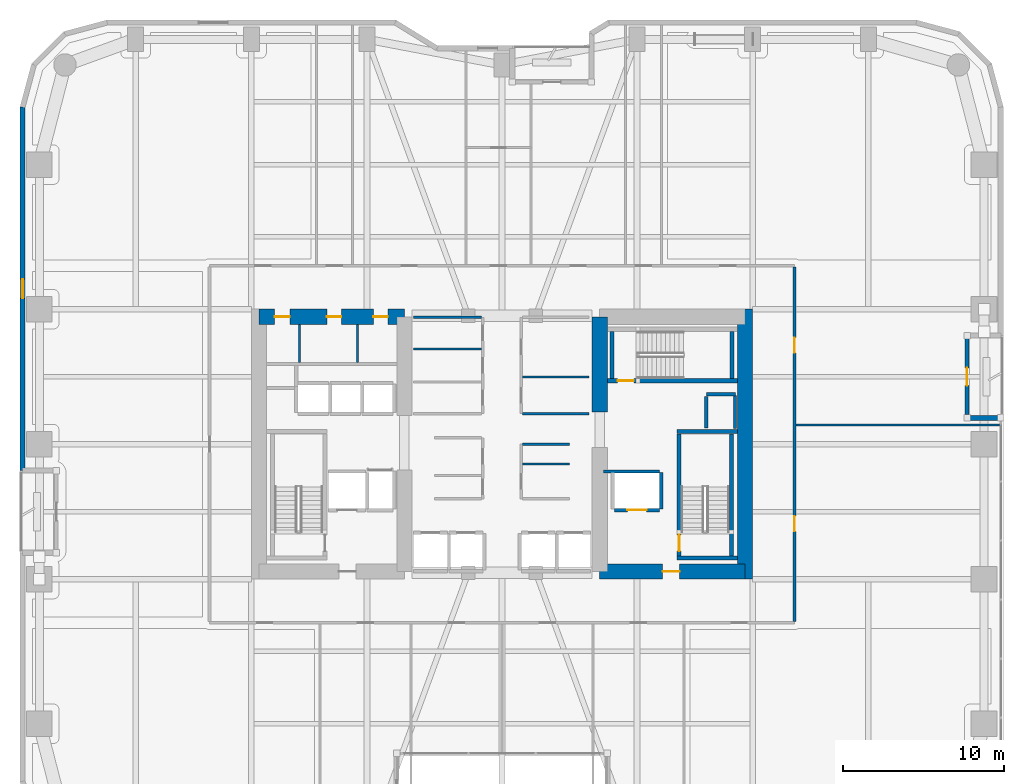
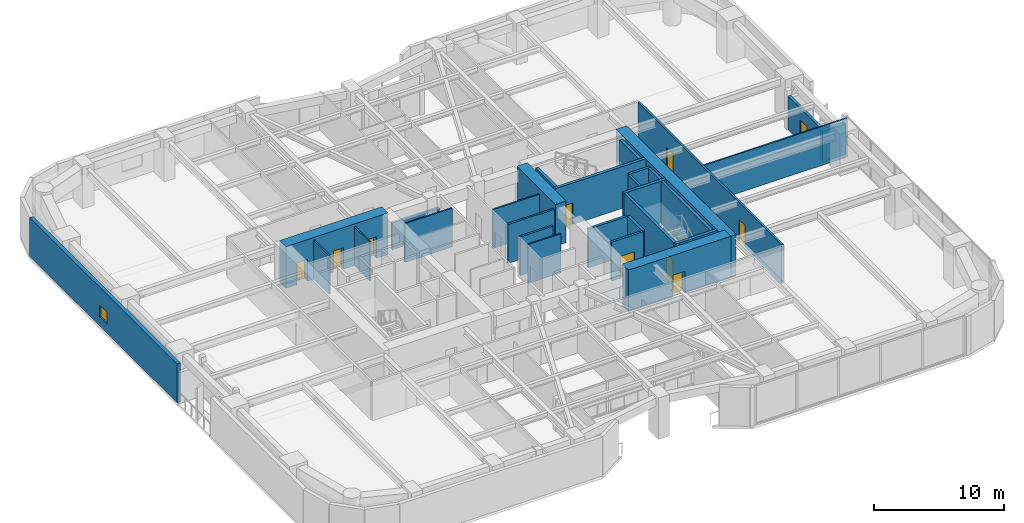
# One storey, part 20 of 26: 30 walls, 10 doors, 1 window, 11 openings.
"""IFC4 building model written with IfcOpenShell, lengths in metres."""

from ifc_helpers import new_model, si_unit, direction, frame, frame_2d, origin, place, context, subcontext, project, spatial, rectangle, extrude, material, layer, layer_set, type_object, element, fill, save


model = new_model("IFC4")

# Units and contexts
model_context = context("Model", 3, precision=1e-05, world=origin(), true_north=direction((0.0, 1.0)))
body_context = subcontext(model_context, "Body", "Model", "MODEL_VIEW")
ifc_project = project(units=[si_unit("LENGTHUNIT", "METRE"), si_unit("AREAUNIT", "SQUARE_METRE"), si_unit("VOLUMEUNIT", "CUBIC_METRE"), si_unit("PLANEANGLEUNIT", "RADIAN"), si_unit("MASSUNIT", "GRAM", prefix="KILO")], contexts=[model_context])

# Site, building, storey
site_placement = place(None, origin())
site = spatial("IfcSite", under=ifc_project, at=site_placement, CompositionType="ELEMENT")
building_placement = place(site_placement, origin())
building = spatial("IfcBuilding", under=site, at=building_placement, Name="Kiyonajd Concourse Tower", CompositionType="ELEMENT")
storey_placement = place(building_placement, frame((0.0, 0.0, 72.89990234375)))
storey = spatial("IfcBuildingStorey", under=building, at=storey_placement, Name="L19", CompositionType="ELEMENT", Elevation=72.89990234375)

# Wall, openings, doors
ifc_material_1 = material(Name="Concrete C80/95", Category="concrete")
ifc_layer_1 = layer(ifc_material_1, 0.949951171875)
ifc_layer_set_1 = layer_set([ifc_layer_1], Name="Concrete C80/95")
wall_type_1 = type_object("IfcWallType", Name="WL-CORE-950", PredefinedType="SHEAR", material=ifc_layer_set_1)
wall_1_placement = place(storey_placement, frame((32.875, 43.925048828125, 0.0), z_axis=(0.0, 0.0, 1.0), x_axis=(1.0, 0.0, 0.0)))
wall_1 = element("IfcWall", 1, at=wall_1_placement, inside=storey, type_object=wall_type_1, Name="L19 West Core North Shear Wall", PredefinedType="SHEAR", context=body_context, shape_type="SweptSolid", body=[
    extrude(rectangle(XDim=9.050048828125, YDim=0.949951171875, at=frame_2d((4.52490234375, 0.0))), origin(), (0.0, 0.0, 1.0), 3.900146484375),
])
opening_1_placement = place(wall_1_placement, frame((0.97509765625, 0.0, 0.0)))
opening_1 = element("IfcOpeningElement", 2, at=opening_1_placement, cuts=wall_1, Name="Opening DI1", PredefinedType="OPENING", context=body_context, shape_type="SweptSolid", body=[
    extrude(rectangle(XDim=0.949951171875, YDim=2.0400390625, at=frame_2d((0.47509765625, 1.02001953125))), frame((0.0, 0.48486328125, 0.0), z_axis=(0.0, -1.0, 0.0), x_axis=(1.0, 0.0, 0.0)), (0.0, 0.0, 1.0), 0.969970703125),
])
opening_2_placement = place(wall_1_placement, frame((4.22509765625, 0.0, 0.0)))
opening_2 = element("IfcOpeningElement", 3, at=opening_2_placement, cuts=wall_1, Name="Opening DI2", PredefinedType="OPENING", context=body_context, shape_type="SweptSolid", body=[
    extrude(rectangle(XDim=0.89990234375, YDim=2.02001953125, at=frame_2d((0.449951171875, 1.010009765625))), frame((0.0, 0.48486328125, 0.0), z_axis=(0.0, -1.0, 0.0), x_axis=(1.0, 0.0, 0.0)), (0.0, 0.0, 1.0), 0.969970703125),
])
opening_3_placement = place(wall_1_placement, frame((7.125, 0.0, 0.0)))
opening_3 = element("IfcOpeningElement", 4, at=opening_3_placement, cuts=wall_1, Name="Opening DI2", PredefinedType="OPENING", context=body_context, shape_type="SweptSolid", body=[
    extrude(rectangle(XDim=0.89990234375, YDim=2.02001953125, at=frame_2d((0.449951171875, 1.010009765625))), frame((0.0, 0.48486328125, 0.0), z_axis=(0.0, -1.0, 0.0), x_axis=(1.0, 0.0, 0.0)), (0.0, 0.0, 1.0), 0.969970703125),
])
ifc_material_2 = material(Name="Natural Oak Acoustic Timber Veneer", Category="wood")
door_type_1 = type_object("IfcDoorType", Name="DR-INT-900", OperationType="NOTDEFINED", PredefinedType="DOOR", material=ifc_material_2)
door_1_placement = place(opening_2_placement, origin())
door_1 = element("IfcDoor", 5, at=door_1_placement, inside=storey, type_object=door_type_1, Name="L19 Male Restroom Door", OperationType="SINGLE_SWING_RIGHT", OverallHeight=2.02001953125, OverallWidth=0.89990234375, PredefinedType="DOOR", context=body_context, shape_type="SweptSolid", body=[
    extrude(rectangle(XDim=0.89990234375, YDim=2.02001953125, at=frame_2d((0.449951171875, 1.010009765625))), frame((0.0, 0.02490234375, 0.0), z_axis=(0.0, -1.0, 0.0), x_axis=(1.0, 0.0, 0.0)), (0.0, 0.0, 1.0), 0.050048828125),
])
fill(opening_2, door_1)
door_2_placement = place(opening_3_placement, origin())
door_2 = element("IfcDoor", 6, at=door_2_placement, inside=storey, type_object=door_type_1, Name="L19 Female Restroom Door", OperationType="SINGLE_SWING_LEFT", OverallHeight=2.02001953125, OverallWidth=0.89990234375, PredefinedType="DOOR", context=body_context, shape_type="SweptSolid", body=[
    extrude(rectangle(XDim=0.89990234375, YDim=2.02001953125, at=frame_2d((0.449951171875, 1.010009765625))), frame((0.0, 0.02490234375, 0.0), z_axis=(0.0, -1.0, 0.0), x_axis=(1.0, 0.0, 0.0)), (0.0, 0.0, 1.0), 0.050048828125),
])
fill(opening_3, door_2)
door_type_2 = type_object("IfcDoorType", Name="DR-INT-950", OperationType="NOTDEFINED", PredefinedType="DOOR", material=ifc_material_2)
door_3_placement = place(opening_1_placement, origin())
door_3 = element("IfcDoor", 7, at=door_3_placement, inside=storey, type_object=door_type_2, Name="L19 Single User Accessible WC Door", OperationType="SINGLE_SWING_LEFT", OverallHeight=2.0400390625, OverallWidth=0.949951171875, PredefinedType="DOOR", context=body_context, shape_type="SweptSolid", body=[
    extrude(rectangle(XDim=0.949951171875, YDim=2.0400390625, at=frame_2d((0.47509765625, 1.02001953125))), frame((0.0, 0.02490234375, 0.0), z_axis=(0.0, -1.0, 0.0), x_axis=(1.0, 0.0, 0.0)), (0.0, 0.0, 1.0), 0.050048828125),
])
fill(opening_1, door_3)

# Walls
wall_2_placement = place(storey_placement, frame((54.074951171875, 38.0, 0.0), z_axis=(0.0, 0.0, 1.0), x_axis=(0.0, 1.0, 0.0)))
element("IfcWall", 8, at=wall_2_placement, inside=storey, type_object=wall_type_1, Name="L19 East Core Inner North Shear Wall", PredefinedType="SHEAR", context=body_context, shape_type="SweptSolid", body=[
    extrude(rectangle(XDim=5.925048828125, YDim=0.949951171875, at=frame_2d((2.96240234375, 0.0))), origin(), (0.0, 0.0, 1.0), 3.900146484375),
])
wall_3_placement = place(storey_placement, frame((63.125, 27.60009765625, 0.0), z_axis=(0.0, 0.0, 1.0), x_axis=(0.0, 1.0, 0.0)))
element("IfcWall", 9, at=wall_3_placement, inside=storey, type_object=wall_type_1, Name="L19 East Core Outer Shear Wall", PredefinedType="SHEAR", context=body_context, shape_type="SweptSolid", body=[
    extrude(rectangle(XDim=16.7998046875, YDim=0.949951171875, at=frame_2d((8.39990234375, 0.0))), origin(), (0.0, 0.0, 1.0), 3.900146484375),
])

# Wall, opening, door
wall_4_placement = place(storey_placement, frame((54.074951171875, 28.074951171875, 0.0), z_axis=(0.0, 0.0, 1.0), x_axis=(1.0, 0.0, 0.0)))
wall_4 = element("IfcWall", 10, at=wall_4_placement, inside=storey, type_object=wall_type_1, Name="L19 East Core South Shear Wall", PredefinedType="SHEAR", context=body_context, shape_type="SweptSolid", body=[
    extrude(rectangle(XDim=9.050048828125, YDim=0.949951171875, at=frame_2d((4.52490234375, 0.0))), origin(), (0.0, 0.0, 1.0), 3.900146484375),
])
opening_4_placement = place(wall_4_placement, frame((3.925048828125, 0.0, 0.0)))
opening_4 = element("IfcOpeningElement", 11, at=opening_4_placement, cuts=wall_4, Name="Opening DF5", PredefinedType="OPENING", context=body_context, shape_type="SweptSolid", body=[
    extrude(rectangle(XDim=1.050048828125, YDim=2.0400390625, at=frame_2d((0.52490234375, 1.02001953125))), frame((0.0, 0.48486328125, 0.0), z_axis=(0.0, -1.0, 0.0), x_axis=(1.0, 0.0, 0.0)), (0.0, 0.0, 1.0), 0.969970703125),
])
ifc_material_3 = material(Name="Brushed Stainless Steel Cab Assembly", Category="steel")
door_type_3 = type_object("IfcDoorType", Name="DR-FD45-1050", OperationType="NOTDEFINED", PredefinedType="DOOR", material=ifc_material_3)
door_4_placement = place(opening_4_placement, origin())
door_4 = element("IfcDoor", 12, at=door_4_placement, inside=storey, type_object=door_type_3, Name="L19 Firefighting Lift Lobby E Smoke Door", OperationType="SINGLE_SWING_RIGHT", OverallHeight=2.0400390625, OverallWidth=1.050048828125, PredefinedType="DOOR", context=body_context, shape_type="SweptSolid", body=[
    extrude(rectangle(XDim=1.050048828125, YDim=2.0400390625, at=frame_2d((0.52490234375, 1.02001953125))), frame((0.0, 0.02490234375, 0.0), z_axis=(0.0, -1.0, 0.0), x_axis=(1.0, 0.0, 0.0)), (0.0, 0.0, 1.0), 0.050048828125),
])
fill(opening_4, door_4)

# Wall
ifc_material_4 = material(Name="Precast concrete C50/60", Category="concrete")
ifc_layer_2 = layer(ifc_material_4, 0.320068359375)
ifc_layer_set_2 = layer_set([ifc_layer_2], Name="Precast concrete C50/60")
wall_type_2 = type_object("IfcWallType", Name="WL-EXT-320", PredefinedType="SOLIDWALL", material=ifc_layer_set_2)
wall_5_placement = place(storey_placement, frame((76.93994140625, 37.639892578125, 0.0), z_axis=(0.0, 0.0, 1.0), x_axis=(1.0, 0.0, 0.0)))
element("IfcWall", 13, at=wall_5_placement, inside=storey, type_object=wall_type_2, Name="L19 Exterior Concrete Frame Wall 04", PredefinedType="SOLIDWALL", context=body_context, shape_type="SweptSolid", body=[
    extrude(rectangle(XDim=2.10009765625, YDim=0.320068359375, at=frame_2d((1.050048828125, 0.0))), origin(), (0.0, 0.0, 1.0), 2.875),
])

# Wall, opening, window
wall_6_placement = place(storey_placement, frame((18.159912109375, 34.360107421875, 0.0), z_axis=(0.0, 0.0, 1.0), x_axis=(0.0, 1.0, 0.0)))
wall_6 = element("IfcWall", 14, at=wall_6_placement, inside=storey, type_object=wall_type_2, Name="L19 Exterior Concrete Frame Wall 25", PredefinedType="SOLIDWALL", context=body_context, shape_type="SweptSolid", body=[
    extrude(rectangle(XDim=22.618896484375, YDim=0.320068359375, at=frame_2d((11.3095703125, 0.0))), origin(), (0.0, 0.0, 1.0), 3.64013671875),
])
opening_5_placement = place(wall_6_placement, frame((10.708984375, 0.0, 0.85009765625)))
opening_5 = element("IfcOpeningElement", 15, at=opening_5_placement, cuts=wall_6, Name="Opening WN3", PredefinedType="OPENING", context=body_context, shape_type="SweptSolid", body=[
    extrude(rectangle(XDim=1.199951171875, YDim=1.10009765625, at=frame_2d((0.60009765625, 0.550048828125))), frame((0.0, 0.169921875, 0.0), z_axis=(0.0, -1.0, 0.0), x_axis=(1.0, 0.0, 0.0)), (0.0, 0.0, 1.0), 0.340087890625),
])
ifc_material_5 = material(Name="Double Low-E Insulated Glass", Category="glass")
window_type = type_object("IfcWindowType", Name="WN-VIS-1200x1100", PartitioningType="SINGLE_PANEL", PredefinedType="WINDOW", material=ifc_material_5)
window_placement = place(opening_5_placement, origin())
window = element("IfcWindow", 16, at=window_placement, inside=storey, type_object=window_type, Name="L19 Modular Facade Vision Window 25", OverallHeight=1.10009765625, OverallWidth=1.199951171875, PartitioningType="SINGLE_PANEL", PredefinedType="WINDOW", context=body_context, shape_type="SweptSolid", body=[
    extrude(rectangle(XDim=1.199951171875, YDim=1.10009765625, at=frame_2d((0.60009765625, 0.550048828125))), frame((0.0, 0.030029296875, 0.0), z_axis=(0.0, -1.0, 0.0), x_axis=(1.0, 0.0, 0.0)), (0.0, 0.0, 1.0), 0.06005859375),
])
fill(opening_5, window)

# Wall, opening, door
ifc_layer_3 = layer(ifc_material_4, 0.239990234375)
ifc_layer_set_3 = layer_set([ifc_layer_3], Name="Precast concrete C50/60")
wall_type_3 = type_object("IfcWallType", Name="WL-LOG-240", PredefinedType="SOLIDWALL", material=ifc_layer_set_3)
wall_7_placement = place(storey_placement, frame((76.93994140625, 42.56494140625, 0.0), z_axis=(0.0, 0.0, 1.0), x_axis=(0.0, -1.0, 0.0)))
wall_7 = element("IfcWall", 17, at=wall_7_placement, inside=storey, type_object=wall_type_3, Name="L19 Recessed Loggia Thermal Wall LOG-E", PredefinedType="SOLIDWALL", context=body_context, shape_type="SweptSolid", body=[
    extrude(rectangle(XDim=4.72998046875, YDim=0.239990234375, at=frame_2d((2.364990234375, 0.0))), origin(), (0.0, 0.0, 1.0), 3.162109375),
])
opening_6_placement = place(wall_7_placement, frame((1.81494140625, 0.0, 0.0)))
opening_6 = element("IfcOpeningElement", 18, at=opening_6_placement, cuts=wall_7, Name="Opening DL2", PredefinedType="OPENING", context=body_context, shape_type="SweptSolid", body=[
    extrude(rectangle(XDim=1.10009765625, YDim=2.0400390625, at=frame_2d((0.550048828125, 1.02001953125))), frame((0.0, 0.1298828125, 0.0), z_axis=(0.0, -1.0, 0.0), x_axis=(1.0, 0.0, 0.0)), (0.0, 0.0, 1.0), 0.260009765625),
])
ifc_material_6 = material(Name="Thermally Broken Anodised Aluminium", Category="aluminium")
door_type_4 = type_object("IfcDoorType", Name="DR-LOG-1100", OperationType="NOTDEFINED", PredefinedType="DOOR", material=ifc_material_6)
door_5_placement = place(opening_6_placement, origin())
door_5 = element("IfcDoor", 19, at=door_5_placement, inside=storey, type_object=door_type_4, Name="L19 Engawa Loggia Access Door LOG-E", OperationType="SINGLE_SWING_RIGHT", OverallHeight=2.0400390625, OverallWidth=1.10009765625, PredefinedType="DOOR", context=body_context, shape_type="SweptSolid", body=[
    extrude(rectangle(XDim=1.10009765625, YDim=2.0400390625, at=frame_2d((0.550048828125, 1.02001953125))), frame((0.0, 0.02490234375, 0.0), z_axis=(0.0, -1.0, 0.0), x_axis=(1.0, 0.0, 0.0)), (0.0, 0.0, 1.0), 0.050048828125),
])
fill(opening_6, door_5)

# Walls
ifc_material_7 = material(Name="Gypsum Board on Cold-Formed Steel Stud", Category="steel")
ifc_layer_4 = layer(ifc_material_7, 0.125)
ifc_layer_set_4 = layer_set([ifc_layer_4], Name="Gypsum Board on Cold-Formed Steel Stud")
wall_type_4 = type_object("IfcWallType", Name="WL-PART-125", PredefinedType="PARTITIONING", material=ifc_layer_set_4)
for number, where, z_axis, x_axis, name in (
    (20, (35.39990234375, 41.094970703125, 0.0), (0.0, 0.0, 1.0), (0.0, 1.0, 0.0), "L19 Interior Partition Wall"),
    (21, (39.0, 41.094970703125, 0.0), (0.0, 0.0, 1.0), (0.0, 1.0, 0.0), "L19 Interior Partition Wall"),
):
    element("IfcWall", number, at=place(storey_placement, frame(where, z_axis=z_axis, x_axis=x_axis)), inside=storey, type_object=wall_type_4, Name=name, PredefinedType="PARTITIONING", context=body_context, shape_type="SweptSolid", body=[
        extrude(rectangle(XDim=2.35498046875, YDim=0.125, at=frame_2d((1.177490234375, 0.0))), origin(), (0.0, 0.0, 1.0), 3.64013671875),
    ])
wall_8_placement = place(storey_placement, frame((49.287109375, 34.77587890625, 0.0), z_axis=(0.0, 0.0, 1.0), x_axis=(1.0, 0.0, 0.0)))
element("IfcWall", 22, at=wall_8_placement, inside=storey, type_object=wall_type_4, Name="L19 Interior Partition Wall", PredefinedType="PARTITIONING", context=body_context, shape_type="SweptSolid", body=[
    extrude(rectangle(XDim=2.912841796875, YDim=0.125, at=frame_2d((1.45654296875, 0.0))), origin(), (0.0, 0.0, 1.0), 3.64013671875),
])
wall_9_placement = place(storey_placement, frame((42.5, 41.919921875, 0.0), z_axis=(0.0, 0.0, 1.0), x_axis=(1.0, 0.0, 0.0)))
element("IfcWall", 23, at=wall_9_placement, inside=storey, type_object=wall_type_4, Name="L19 Interior Partition Wall", PredefinedType="PARTITIONING", context=body_context, shape_type="SweptSolid", body=[
    extrude(rectangle(XDim=4.212890625, YDim=0.125, at=frame_2d((2.1064453125, 0.0))), origin(), (0.0, 0.0, 1.0), 3.64013671875),
])
wall_10_placement = place(storey_placement, frame((49.287109375, 40.179931640625, 0.0), z_axis=(0.0, 0.0, 1.0), x_axis=(1.0, 0.0, 0.0)))
element("IfcWall", 24, at=wall_10_placement, inside=storey, type_object=wall_type_4, Name="L19 Interior Partition Wall", PredefinedType="PARTITIONING", context=body_context, shape_type="SweptSolid", body=[
    extrude(rectangle(XDim=4.11279296875, YDim=0.125, at=frame_2d((2.056396484375, 0.0))), origin(), (0.0, 0.0, 1.0), 3.64013671875),
])
wall_11_placement = place(storey_placement, frame((66.287109375, 37.199951171875, 0.0), z_axis=(0.0, 0.0, 1.0), x_axis=(1.0, 0.0, 0.0)))
element("IfcWall", 25, at=wall_11_placement, inside=storey, type_object=wall_type_4, Name="L19 Interior Partition Wall", PredefinedType="PARTITIONING", context=body_context, shape_type="SweptSolid", body=[
    extrude(rectangle(XDim=12.66796875, YDim=0.125, at=frame_2d((6.333984375, 0.0))), origin(), (0.0, 0.0, 1.0), 3.64013671875),
])
ifc_layer_5 = layer(ifc_material_7, 0.2099609375)
ifc_layer_set_5 = layer_set([ifc_layer_5], Name="Gypsum Board on Cold-Formed Steel Stud")
wall_type_5 = type_object("IfcWallType", Name="WL-SHAFT-210", PredefinedType="PARTITIONING", material=ifc_layer_set_5)
wall_12_placement = place(storey_placement, frame((60.719970703125, 39.10009765625, 0.0), z_axis=(0.0, 0.0, 1.0), x_axis=(1.0, 0.0, 0.0)))
element("IfcWall", 26, at=wall_12_placement, inside=storey, type_object=wall_type_5, Name="L19 Shaft Enclosure Wall", PredefinedType="PARTITIONING", context=body_context, shape_type="SweptSolid", body=[
    extrude(rectangle(XDim=1.800048828125, YDim=0.2099609375, at=frame_2d((0.89990234375, 0.0))), origin(), (0.0, 0.0, 1.0), 3.64013671875),
])
wall_13_placement = place(storey_placement, frame((60.699951171875, 37.02001953125, 0.0), z_axis=(0.0, 0.0, 1.0), x_axis=(0.0, 1.0, 0.0)))
element("IfcWall", 27, at=wall_13_placement, inside=storey, type_object=wall_type_5, Name="L19 Shaft Enclosure Wall", PredefinedType="PARTITIONING", context=body_context, shape_type="SweptSolid", body=[
    extrude(rectangle(XDim=1.9599609375, YDim=0.2099609375, at=frame_2d((0.97998046875, 0.0))), origin(), (0.0, 0.0, 1.0), 3.64013671875),
])
wall_14_placement = place(storey_placement, frame((62.5, 36.97998046875, 0.0), z_axis=(0.0, 0.0, 1.0), x_axis=(0.0, 1.0, 0.0)))
element("IfcWall", 28, at=wall_14_placement, inside=storey, type_object=wall_type_5, Name="L19 Shaft Enclosure Wall", PredefinedType="PARTITIONING", context=body_context, shape_type="SweptSolid", body=[
    extrude(rectangle(XDim=2.0400390625, YDim=0.2099609375, at=frame_2d((1.02001953125, 0.0))), origin(), (0.0, 0.0, 1.0), 3.64013671875),
])

# Wall, opening, door
wall_15_placement = place(storey_placement, frame((55.0, 31.89990234375, 0.0), z_axis=(0.0, 0.0, 1.0), x_axis=(1.0, 0.0, 0.0)))
wall_15 = element("IfcWall", 29, at=wall_15_placement, inside=storey, type_object=wall_type_5, Name="L19 Shaft Enclosure Wall", PredefinedType="PARTITIONING", context=body_context, shape_type="SweptSolid", body=[
    extrude(rectangle(XDim=2.800048828125, YDim=0.2099609375, at=frame_2d((1.39990234375, 0.0))), origin(), (0.0, 0.0, 1.0), 3.64013671875),
])
opening_7_placement = place(wall_15_placement, frame((0.800048828125, 0.0, 0.0)))
opening_7 = element("IfcOpeningElement", 30, at=opening_7_placement, cuts=wall_15, Name="Opening LD2", PredefinedType="OPENING", context=body_context, shape_type="SweptSolid", body=[
    extrude(rectangle(XDim=1.199951171875, YDim=2.0400390625, at=frame_2d((0.60009765625, 1.02001953125))), frame((0.0, 0.114990234375, 0.0), z_axis=(0.0, -1.0, 0.0), x_axis=(1.0, 0.0, 0.0)), (0.0, 0.0, 1.0), 0.22998046875),
])
door_type_5 = type_object("IfcDoorType", Name="DR-LD-1200", OperationType="DOUBLE_DOOR_SLIDING", PredefinedType="DOOR", material=ifc_material_3)
door_6_placement = place(opening_7_placement, origin())
door_6 = element("IfcDoor", 31, at=door_6_placement, inside=storey, type_object=door_type_5, Name="L19 Lift FFL2 Sliding Landing Door", OperationType="DOUBLE_DOOR_SLIDING", OverallHeight=2.0400390625, OverallWidth=1.199951171875, PredefinedType="DOOR", context=body_context, shape_type="SweptSolid", body=[
    extrude(rectangle(XDim=1.199951171875, YDim=2.0400390625, at=frame_2d((0.60009765625, 1.02001953125))), frame((0.0, 0.02490234375, 0.0), z_axis=(0.0, -1.0, 0.0), x_axis=(1.0, 0.0, 0.0)), (0.0, 0.0, 1.0), 0.050048828125),
])
fill(opening_7, door_6)

# Walls
wall_16_placement = place(storey_placement, frame((54.320068359375, 34.300048828125, 0.0), z_axis=(0.0, 0.0, 1.0), x_axis=(1.0, 0.0, 0.0)))
element("IfcWall", 32, at=wall_16_placement, inside=storey, type_object=wall_type_5, Name="L19 Shaft Enclosure Wall", PredefinedType="PARTITIONING", context=body_context, shape_type="SweptSolid", body=[
    extrude(rectangle(XDim=3.47998046875, YDim=0.2099609375, at=frame_2d((1.739990234375, 0.0))), origin(), (0.0, 0.0, 1.0), 3.64013671875),
])
wall_17_placement = place(storey_placement, frame((57.89990234375, 31.9599609375, 0.0), z_axis=(0.0, 0.0, 1.0), x_axis=(0.0, 1.0, 0.0)))
element("IfcWall", 33, at=wall_17_placement, inside=storey, type_object=wall_type_5, Name="L19 Shaft Enclosure Wall", PredefinedType="PARTITIONING", context=body_context, shape_type="SweptSolid", body=[
    extrude(rectangle(XDim=2.280029296875, YDim=0.2099609375, at=frame_2d((1.14013671875, 0.0))), origin(), (0.0, 0.0, 1.0), 3.64013671875),
])
ifc_layer_6 = layer(ifc_material_7, 0.169921875)
ifc_layer_set_6 = layer_set([ifc_layer_6], Name="Gypsum Board on Cold-Formed Steel Stud")
wall_type_6 = type_object("IfcWallType", Name="WL-SMK-170", PredefinedType="PARTITIONING", material=ifc_layer_set_6)
wall_18_placement = place(storey_placement, frame((49.287109375, 36.0, 0.0), z_axis=(0.0, 0.0, 1.0), x_axis=(1.0, 0.0, 0.0)))
element("IfcWall", 34, at=wall_18_placement, inside=storey, type_object=wall_type_6, Name="L19 Interior Partition Wall", PredefinedType="PARTITIONING", context=body_context, shape_type="SweptSolid", body=[
    extrude(rectangle(XDim=2.912841796875, YDim=0.169921875, at=frame_2d((1.45654296875, 0.0))), origin(), (0.0, 0.0, 1.0), 3.64013671875),
])
wall_19_placement = place(storey_placement, frame((42.5, 43.89990234375, 0.0), z_axis=(0.0, 0.0, 1.0), x_axis=(1.0, 0.0, 0.0)))
element("IfcWall", 35, at=wall_19_placement, inside=storey, type_object=wall_type_6, Name="L19 Interior Partition Wall", PredefinedType="PARTITIONING", context=body_context, shape_type="SweptSolid", body=[
    extrude(rectangle(XDim=4.212890625, YDim=0.169921875, at=frame_2d((2.1064453125, 0.0))), origin(), (0.0, 0.0, 1.0), 2.525146484375),
])
wall_20_placement = place(storey_placement, frame((49.287109375, 37.89990234375, 0.0), z_axis=(0.0, 0.0, 1.0), x_axis=(1.0, 0.0, 0.0)))
element("IfcWall", 36, at=wall_20_placement, inside=storey, type_object=wall_type_6, Name="L19 Interior Partition Wall", PredefinedType="PARTITIONING", context=body_context, shape_type="SweptSolid", body=[
    extrude(rectangle(XDim=4.11279296875, YDim=0.169921875, at=frame_2d((2.056396484375, 0.0))), origin(), (0.0, 0.0, 1.0), 3.64013671875),
])

# Wall, openings, doors
wall_21_placement = place(storey_placement, frame((66.199951171875, 24.97705078125, 0.0), z_axis=(0.0, 0.0, 1.0), x_axis=(0.0, 1.0, 0.0)))
wall_21 = element("IfcWall", 37, at=wall_21_placement, inside=storey, type_object=wall_type_6, Name="L19 Interior Partition Wall", PredefinedType="PARTITIONING", context=body_context, shape_type="SweptSolid", body=[
    extrude(rectangle(XDim=22.0458984375, YDim=0.169921875, at=frame_2d((11.02294921875, 0.0))), origin(), (0.0, 0.0, 1.0), 3.64013671875),
])
opening_8_placement = place(wall_21_placement, frame((5.593017578125, 0.0, 0.0)))
opening_8 = element("IfcOpeningElement", 38, at=opening_8_placement, cuts=wall_21, Name="Opening DI1", PredefinedType="OPENING", context=body_context, shape_type="SweptSolid", body=[
    extrude(rectangle(XDim=0.949951171875, YDim=2.0400390625, at=frame_2d((0.47509765625, 1.02001953125))), frame((0.0, 0.094970703125, 0.0), z_axis=(0.0, -1.0, 0.0), x_axis=(1.0, 0.0, 0.0)), (0.0, 0.0, 1.0), 0.18994140625),
])
opening_9_placement = place(wall_21_placement, frame((16.702880859375, 0.0, 0.0)))
opening_9 = element("IfcOpeningElement", 39, at=opening_9_placement, cuts=wall_21, Name="Opening DI1", PredefinedType="OPENING", context=body_context, shape_type="SweptSolid", body=[
    extrude(rectangle(XDim=0.949951171875, YDim=2.0400390625, at=frame_2d((0.47509765625, 1.02001953125))), frame((0.0, 0.094970703125, 0.0), z_axis=(0.0, -1.0, 0.0), x_axis=(1.0, 0.0, 0.0)), (0.0, 0.0, 1.0), 0.18994140625),
])
door_7_placement = place(opening_8_placement, origin())
door_7 = element("IfcDoor", 40, at=door_7_placement, inside=storey, type_object=door_type_2, Name="L19 Interior Door", OperationType="SINGLE_SWING_LEFT", OverallHeight=2.0400390625, OverallWidth=0.949951171875, PredefinedType="DOOR", context=body_context, shape_type="SweptSolid", body=[
    extrude(rectangle(XDim=0.949951171875, YDim=2.0400390625, at=frame_2d((0.47509765625, 1.02001953125))), frame((0.0, 0.02490234375, 0.0), z_axis=(0.0, -1.0, 0.0), x_axis=(1.0, 0.0, 0.0)), (0.0, 0.0, 1.0), 0.050048828125),
])
fill(opening_8, door_7)
door_8_placement = place(opening_9_placement, origin())
door_8 = element("IfcDoor", 41, at=door_8_placement, inside=storey, type_object=door_type_2, Name="L19 Interior Door", OperationType="SINGLE_SWING_RIGHT", OverallHeight=2.0400390625, OverallWidth=0.949951171875, PredefinedType="DOOR", context=body_context, shape_type="SweptSolid", body=[
    extrude(rectangle(XDim=0.949951171875, YDim=2.0400390625, at=frame_2d((0.47509765625, 1.02001953125))), frame((0.0, 0.02490234375, 0.0), z_axis=(0.0, -1.0, 0.0), x_axis=(1.0, 0.0, 0.0)), (0.0, 0.0, 1.0), 0.050048828125),
])
fill(opening_9, door_8)

# Walls
ifc_material_8 = material(Name="Concrete C50/60", Category="concrete")
ifc_layer_7 = layer(ifc_material_8, 0.260009765625)
ifc_layer_set_7 = layer_set([ifc_layer_7], Name="Concrete C50/60")
wall_type_7 = type_object("IfcWallType", Name="WL-STAIR-260", PredefinedType="SHEAR", material=ifc_layer_set_7)
for number, where, z_axis, x_axis, name in (
    (42, (58.889892578125, 28.919921875, 0.0), (0.0, 0.0, 1.0), (1.0, 0.0, 0.0), "L19 Stair ST2 Structural South Wall"),
    (43, (58.889892578125, 36.780029296875, 0.0), (0.0, 0.0, 1.0), (1.0, 0.0, 0.0), "L19 Stair ST2 Structural North Wall"),
):
    element("IfcWall", number, at=place(storey_placement, frame(where, z_axis=z_axis, x_axis=x_axis)), inside=storey, type_object=wall_type_7, Name=name, PredefinedType="SHEAR", context=body_context, shape_type="SweptSolid", body=[
        extrude(rectangle(XDim=3.760009765625, YDim=0.260009765625, at=frame_2d((1.8798828125, 0.0))), origin(), (0.0, 0.0, 1.0), 3.900146484375),
    ])

# Wall, opening, door
wall_22_placement = place(storey_placement, frame((59.02001953125, 29.050048828125, 0.0), z_axis=(0.0, 0.0, 1.0), x_axis=(0.0, 1.0, 0.0)))
wall_22 = element("IfcWall", 44, at=wall_22_placement, inside=storey, type_object=wall_type_7, Name="L19 Stair ST2 Structural West Wall", PredefinedType="SHEAR", context=body_context, shape_type="SweptSolid", body=[
    extrude(rectangle(XDim=7.599853515625, YDim=0.260009765625, at=frame_2d((3.7998046875, 0.0))), origin(), (0.0, 0.0, 1.0), 3.900146484375),
])
opening_10_placement = place(wall_22_placement, frame((0.300048828125, 0.0, 0.0)))
opening_10 = element("IfcOpeningElement", 45, at=opening_10_placement, cuts=wall_22, Name="Opening DF1", PredefinedType="OPENING", context=body_context, shape_type="SweptSolid", body=[
    extrude(rectangle(XDim=1.0, YDim=2.0400390625, at=frame_2d((0.5, 1.02001953125))), frame((0.0, 0.139892578125, 0.0), z_axis=(0.0, -1.0, 0.0), x_axis=(1.0, 0.0, 0.0)), (0.0, 0.0, 1.0), 0.280029296875),
])
door_type_6 = type_object("IfcDoorType", Name="DR-FD90-1000", OperationType="NOTDEFINED", PredefinedType="DOOR", material=ifc_material_3)
door_9_placement = place(opening_10_placement, origin())
door_9 = element("IfcDoor", 46, at=door_9_placement, inside=storey, type_object=door_type_6, Name="L19 Stair ST2 FSAE Door", OperationType="SINGLE_SWING_RIGHT", OverallHeight=2.0400390625, OverallWidth=1.0, PredefinedType="DOOR", context=body_context, shape_type="SweptSolid", body=[
    extrude(rectangle(XDim=1.0, YDim=2.0400390625, at=frame_2d((0.5, 1.02001953125))), frame((0.0, 0.02490234375, 0.0), z_axis=(0.0, -1.0, 0.0), x_axis=(1.0, 0.0, 0.0)), (0.0, 0.0, 1.0), 0.050048828125),
])
fill(opening_10, door_9)

# Wall
wall_23_placement = place(storey_placement, frame((62.280029296875, 29.050048828125, 0.0), z_axis=(0.0, 0.0, 1.0), x_axis=(0.0, 1.0, 0.0)))
element("IfcWall", 47, at=wall_23_placement, inside=storey, type_object=wall_type_7, Name="L19 Stair ST2 Structural East Wall", PredefinedType="SHEAR", context=body_context, shape_type="SweptSolid", body=[
    extrude(rectangle(XDim=7.599853515625, YDim=0.260009765625, at=frame_2d((3.7998046875, 0.0))), origin(), (0.0, 0.0, 1.0), 3.900146484375),
])

# Wall, opening, door
wall_24_placement = place(storey_placement, frame((54.550048828125, 39.949951171875, 0.0), z_axis=(0.0, 0.0, 1.0), x_axis=(1.0, 0.0, 0.0)))
wall_24 = element("IfcWall", 48, at=wall_24_placement, inside=storey, type_object=wall_type_7, Name="L19 Stair ST3 Structural South Wall", PredefinedType="SHEAR", context=body_context, shape_type="SweptSolid", body=[
    extrude(rectangle(XDim=8.099853515625, YDim=0.260009765625, at=frame_2d((4.0498046875, 0.0))), origin(), (0.0, 0.0, 1.0), 3.900146484375),
])
opening_11_placement = place(wall_24_placement, frame((0.64990234375, 0.0, 0.0)))
opening_11 = element("IfcOpeningElement", 49, at=opening_11_placement, cuts=wall_24, Name="Opening DF1", PredefinedType="OPENING", context=body_context, shape_type="SweptSolid", body=[
    extrude(rectangle(XDim=1.0, YDim=2.0400390625, at=frame_2d((0.5, 1.02001953125))), frame((0.0, 0.139892578125, 0.0), z_axis=(0.0, -1.0, 0.0), x_axis=(1.0, 0.0, 0.0)), (0.0, 0.0, 1.0), 0.280029296875),
])
door_10_placement = place(opening_11_placement, origin())
door_10 = element("IfcDoor", 50, at=door_10_placement, inside=storey, type_object=door_type_6, Name="L19 Stair ST3 Enclosure Door", OperationType="SINGLE_SWING_LEFT", OverallHeight=2.0400390625, OverallWidth=1.0, PredefinedType="DOOR", context=body_context, shape_type="SweptSolid", body=[
    extrude(rectangle(XDim=1.0, YDim=2.0400390625, at=frame_2d((0.5, 1.02001953125))), frame((0.0, 0.02490234375, 0.0), z_axis=(0.0, -1.0, 0.0), x_axis=(1.0, 0.0, 0.0)), (0.0, 0.0, 1.0), 0.050048828125),
])
fill(opening_11, door_10)

# Walls
for number, where, z_axis, x_axis, name in (
    (51, (54.85009765625, 40.080078125, 0.0), (0.0, 0.0, 1.0), (0.0, 1.0, 0.0), "L19 Stair ST3 Structural West Wall"),
    (52, (62.31005859375, 40.080078125, 0.0), (0.0, 0.0, 1.0), (0.0, 1.0, 0.0), "L19 Stair ST3 Structural East Wall"),
):
    element("IfcWall", number, at=place(storey_placement, frame(where, z_axis=z_axis, x_axis=x_axis)), inside=storey, type_object=wall_type_7, Name=name, PredefinedType="SHEAR", context=body_context, shape_type="SweptSolid", body=[
        extrude(rectangle(XDim=2.93994140625, YDim=0.260009765625, at=frame_2d((1.469970703125, 0.0))), origin(), (0.0, 0.0, 1.0), 3.900146484375),
    ])

save(model, "model.ifc")
